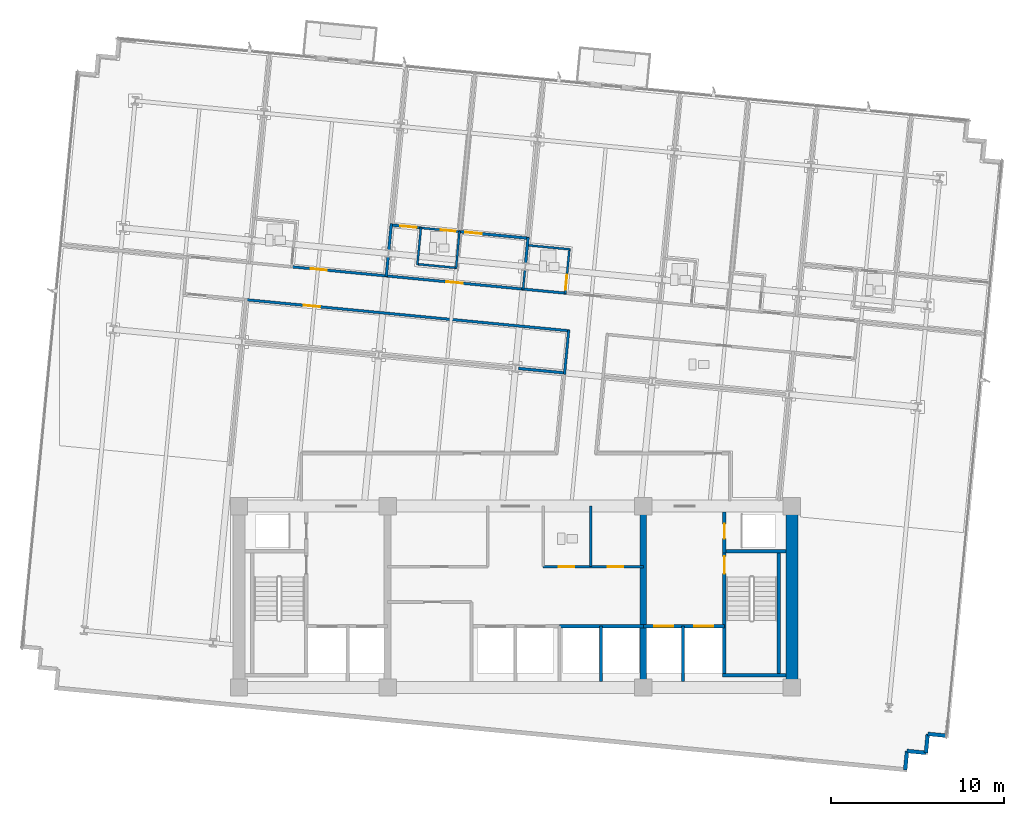
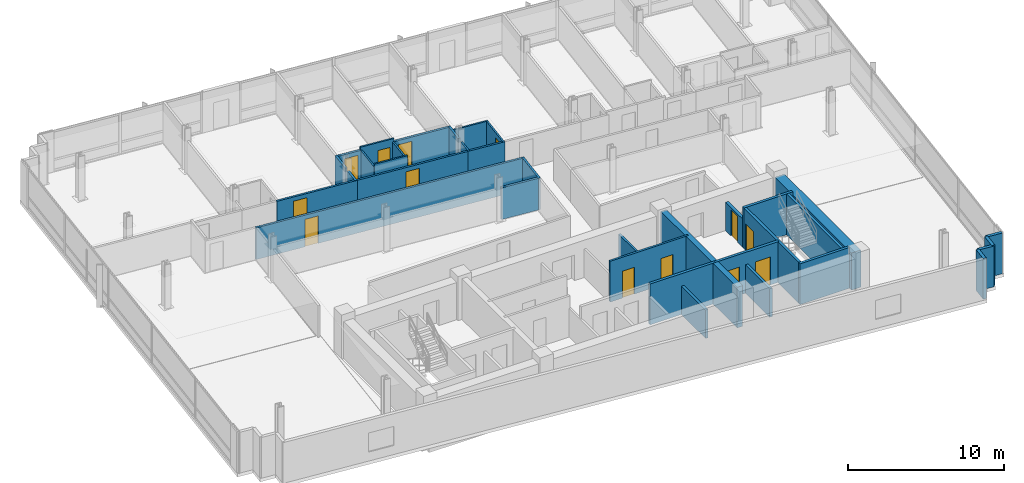
# One storey, part 11 of 17: 35 walls, 13 doors, 13 openings.
"""IFC4 building model written with IfcOpenShell, lengths in metres."""

from ifc_helpers import new_model, si_unit, direction, frame, frame_2d, origin, place, context, subcontext, project, spatial, rectangle, extrude, material, layer, layer_set, type_object, element, fill, save


model = new_model("IFC4")

# Units and contexts
model_context = context("Model", 3, precision=1e-05, world=origin(), true_north=direction((0.0, 1.0)))
body_context = subcontext(model_context, "Body", "Model", "MODEL_VIEW")
ifc_project = project(units=[si_unit("LENGTHUNIT", "METRE"), si_unit("AREAUNIT", "SQUARE_METRE"), si_unit("VOLUMEUNIT", "CUBIC_METRE"), si_unit("PLANEANGLEUNIT", "RADIAN"), si_unit("MASSUNIT", "GRAM", prefix="KILO")], contexts=[model_context])

# Site, building, storey
site_placement = place(None, origin())
site = spatial("IfcSite", under=ifc_project, at=site_placement, CompositionType="ELEMENT")
building_placement = place(site_placement, origin())
building = spatial("IfcBuilding", under=site, at=building_placement, Name="Solmavex Isthmus Hotel", CompositionType="ELEMENT")
storey_placement = place(building_placement, frame((0.0, 0.0, 146.25)))
storey = spatial("IfcBuildingStorey", under=building, at=storey_placement, Name="L39", CompositionType="ELEMENT", Elevation=146.25)

# Walls
ifc_material_1 = material(Name="Precast Concrete C40/50", Category="concrete")
ifc_layer_1 = layer(ifc_material_1, 0.25)
ifc_layer_set_1 = layer_set([ifc_layer_1], Name="Precast Concrete C40/50")
wall_type_1 = type_object("IfcWallType", Name="EW-TWR-250", PredefinedType="STANDARD", material=ifc_layer_set_1)
for number, where, z_axis, x_axis, name in (
    (1, (24.966552734375, -15.79052734375, 0.0), (0.0, 0.0, 1.0), (-0.995393156894, 0.095877334176, 0.0), "Serrated Corner Facade Panel L39-22"),
    (2, (23.87158203125, -15.68505859375, 0.0), (0.0, 0.0, 1.0), (-0.095877334176, -0.995393156894, 0.0), "Serrated Corner Facade Panel L39-23"),
    (3, (23.76611328125, -16.780029296875, 0.0), (0.0, 0.0, 1.0), (-0.995393156894, 0.095877334176, 0.0), "Serrated Corner Facade Panel L39-24"),
    (4, (22.671142578125, -16.674560546875, 0.0), (0.0, 0.0, 1.0), (-0.095657429048, -0.995414313875, 0.0), "Serrated Corner Facade Panel L39-25"),
):
    element("IfcWall", number, at=place(storey_placement, frame(where, z_axis=z_axis, x_axis=x_axis)), inside=storey, type_object=wall_type_1, Name=name, PredefinedType="STANDARD", context=body_context, shape_type="SweptSolid", body=[
        extrude(rectangle(XDim=1.10009765625, YDim=0.219970703125, at=frame_2d((0.550048828125, 0.0))), origin(), (0.0, 0.0, 1.0), 3.18994140625),
    ])
ifc_material_2 = material(Name="Gypsum plasterboard lining", Category="gypsum")
ifc_layer_2 = layer(ifc_material_2, 0.159912109375)
ifc_layer_set_2 = layer_set([ifc_layer_2], Name="Gypsum plasterboard lining")
wall_type_2 = type_object("IfcWallType", Name="IW-COMP-160", PredefinedType="PARTITIONING", material=ifc_layer_set_2)
wall_1_placement = place(storey_placement, frame((-7.36865234375, 11.95849609375, 0.0), z_axis=(0.0, 0.0, 1.0), x_axis=(-0.095831494917, -0.995397571115, 0.0)))
element("IfcWall", 5, at=wall_1_placement, inside=storey, type_object=wall_type_2, Name="Interior Partition Wall W-L39-P033", PredefinedType="PARTITIONING", context=body_context, shape_type="SweptSolid", body=[
    extrude(rectangle(XDim=1.171875, YDim=0.159912109375, at=frame_2d((0.5859375, 0.0))), origin(), (0.0, 0.0, 1.0), 2.4794921875),
])
wall_2_placement = place(storey_placement, frame((-7.185791015625, 13.857666015625, 0.0), z_axis=(0.0, 0.0, 1.0), x_axis=(-0.095867871334, -0.99539406832, 0.0)))
element("IfcWall", 6, at=wall_2_placement, inside=storey, type_object=wall_type_2, Name="Interior Partition Wall W-L39-P034", PredefinedType="PARTITIONING", context=body_context, shape_type="SweptSolid", body=[
    extrude(rectangle(XDim=1.555908203125, YDim=0.159912109375, at=frame_2d((0.77783203125, 0.0))), origin(), (0.0, 0.0, 1.0), 2.4794921875),
])

# Wall, opening, door
wall_3_placement = place(storey_placement, frame((-7.2333984375, 13.780029296875, 0.0), z_axis=(0.0, 0.0, 1.0), x_axis=(0.995392932756, -0.095879661139, 0.0)))
wall_3 = element("IfcWall", 7, at=wall_3_placement, inside=storey, type_object=wall_type_2, Name="Interior Partition Wall W-L39-P037", PredefinedType="PARTITIONING", context=body_context, shape_type="SweptSolid", body=[
    extrude(rectangle(XDim=1.807861328125, YDim=0.159912109375, at=frame_2d((0.90380859375, 0.0))), origin(), (0.0, 0.0, 1.0), 2.4794921875),
])
opening_1_placement = place(wall_3_placement, frame((0.57421875, 0.0, 0.0)))
opening_1 = element("IfcOpeningElement", 8, at=opening_1_placement, cuts=wall_3, Name="Opening ID-C095", PredefinedType="OPENING", context=body_context, shape_type="SweptSolid", body=[
    extrude(rectangle(XDim=0.949951171875, YDim=2.14990234375, at=frame_2d((0.47509765625, 1.074951171875))), frame((0.0, 0.08984375, 0.0), z_axis=(0.0, -1.0, 0.0), x_axis=(1.0, 0.0, 0.0)), (0.0, 0.0, 1.0), 0.179931640625),
])
ifc_material_3 = material(Name="Hardwood timber", Category="wood")
door_type_1 = type_object("IfcDoorType", Name="IDR-FD60-0950", OperationType="NOTDEFINED", PredefinedType="DOOR", material=ifc_material_3)
door_1_placement = place(opening_1_placement, origin())
door_1 = element("IfcDoor", 9, at=door_1_placement, inside=storey, type_object=door_type_1, Name="Premier Suite Bedroom Door L39-05", OperationType="SINGLE_SWING_LEFT", OverallHeight=2.14990234375, OverallWidth=0.949951171875, PredefinedType="DOOR", context=body_context, shape_type="SweptSolid", body=[
    extrude(rectangle(XDim=0.949951171875, YDim=2.14990234375, at=frame_2d((0.47509765625, 1.074951171875))), frame((0.0, 0.02490234375, 0.0), z_axis=(0.0, -1.0, 0.0), x_axis=(1.0, 0.0, 0.0)), (0.0, 0.0, 1.0), 0.050048828125),
])
fill(opening_1, door_1)

wall_4_placement = place(storey_placement, frame((-3.28369140625, 13.399658203125, 0.0), z_axis=(0.0, 0.0, 1.0), x_axis=(0.995395934192, -0.095848496045, 0.0)))
wall_4 = element("IfcWall", 10, at=wall_4_placement, inside=storey, type_object=wall_type_2, Name="Interior Partition Wall W-L39-P038", PredefinedType="PARTITIONING", context=body_context, shape_type="SweptSolid", body=[
    extrude(rectangle(XDim=4.06787109375, YDim=0.159912109375, at=frame_2d((2.033935546875, 0.0))), origin(), (0.0, 0.0, 1.0), 2.4794921875),
])
opening_2_placement = place(wall_4_placement, frame((0.386474609375, 0.0, 0.0)))
opening_2 = element("IfcOpeningElement", 11, at=opening_2_placement, cuts=wall_4, Name="Opening ID-C095", PredefinedType="OPENING", context=body_context, shape_type="SweptSolid", body=[
    extrude(rectangle(XDim=0.949951171875, YDim=2.14990234375, at=frame_2d((0.47509765625, 1.074951171875))), frame((0.0, 0.08984375, 0.0), z_axis=(0.0, -1.0, 0.0), x_axis=(1.0, 0.0, 0.0)), (0.0, 0.0, 1.0), 0.179931640625),
])
door_2_placement = place(opening_2_placement, origin())
door_2 = element("IfcDoor", 12, at=door_2_placement, inside=storey, type_object=door_type_1, Name="Premier Suite Sitting Lounge Door L39-06", OperationType="SINGLE_SWING_RIGHT", OverallHeight=2.14990234375, OverallWidth=0.949951171875, PredefinedType="DOOR", context=body_context, shape_type="SweptSolid", body=[
    extrude(rectangle(XDim=0.949951171875, YDim=2.14990234375, at=frame_2d((0.47509765625, 1.074951171875))), frame((0.0, 0.02490234375, 0.0), z_axis=(0.0, -1.0, 0.0), x_axis=(1.0, 0.0, 0.0)), (0.0, 0.0, 1.0), 0.050048828125),
])
fill(opening_2, door_2)

# Walls
wall_5_placement = place(storey_placement, frame((0.7294921875, 13.053466796875, 0.0), z_axis=(0.0, 0.0, 1.0), x_axis=(-0.095783075571, -0.995402231479, 0.0)))
element("IfcWall", 13, at=wall_5_placement, inside=storey, type_object=wall_type_2, Name="Interior Partition Wall W-L39-P042", PredefinedType="PARTITIONING", context=body_context, shape_type="SweptSolid", body=[
    extrude(rectangle(XDim=1.51416015625, YDim=0.159912109375, at=frame_2d((0.757080078125, 0.0))), origin(), (0.0, 0.0, 1.0), 2.4794921875),
])
wall_6_placement = place(storey_placement, frame((2.885986328125, 5.212646484375, 0.0), z_axis=(0.0, 0.0, 1.0), x_axis=(-0.995401466761, 0.095791022391, 0.0)))
element("IfcWall", 14, at=wall_6_placement, inside=storey, type_object=wall_type_2, Name="Interior Partition Wall W-L39-P078", PredefinedType="PARTITIONING", context=body_context, shape_type="SweptSolid", body=[
    extrude(rectangle(XDim=2.721923828125, YDim=0.159912109375, at=frame_2d((1.36083984375, 0.0))), origin(), (0.0, 0.0, 1.0), 2.4794921875),
])

# Wall, openings, doors
ifc_layer_3 = layer(ifc_material_2, 0.14990234375)
ifc_layer_set_3 = layer_set([ifc_layer_3], Name="Gypsum plasterboard lining")
wall_type_3 = type_object("IfcWallType", Name="IW-CORR-150", PredefinedType="PARTITIONING", material=ifc_layer_set_3)
wall_7_placement = place(storey_placement, frame((1.60009765625, -6.0, 0.0), z_axis=(0.0, 0.0, 1.0), x_axis=(1.0, 0.0, 0.0)))
wall_7 = element("IfcWall", 15, at=wall_7_placement, inside=storey, type_object=wall_type_3, Name="Interior Partition Wall W-L39-BOH-ES", PredefinedType="PARTITIONING", context=body_context, shape_type="SweptSolid", body=[
    extrude(rectangle(XDim=5.7998046875, YDim=0.14990234375, at=frame_2d((2.89990234375, 0.0))), origin(), (0.0, 0.0, 1.0), 3.18994140625),
])
opening_3_placement = place(wall_7_placement, frame((0.89990234375, 0.0, 0.0)))
opening_3 = element("IfcOpeningElement", 16, at=opening_3_placement, cuts=wall_7, Name="Opening ID-C090", PredefinedType="OPENING", context=body_context, shape_type="SweptSolid", body=[
    extrude(rectangle(XDim=0.89990234375, YDim=2.10009765625, at=frame_2d((0.449951171875, 1.050048828125))), frame((0.0, 0.0849609375, 0.0), z_axis=(0.0, -1.0, 0.0), x_axis=(1.0, 0.0, 0.0)), (0.0, 0.0, 1.0), 0.169921875),
])
opening_4_placement = place(wall_7_placement, frame((3.75, 0.0, 0.0)))
opening_4 = element("IfcOpeningElement", 17, at=opening_4_placement, cuts=wall_7, Name="Opening ID-C090", PredefinedType="OPENING", context=body_context, shape_type="SweptSolid", body=[
    extrude(rectangle(XDim=0.89990234375, YDim=2.10009765625, at=frame_2d((0.449951171875, 1.050048828125))), frame((0.0, 0.0849609375, 0.0), z_axis=(0.0, -1.0, 0.0), x_axis=(1.0, 0.0, 0.0)), (0.0, 0.0, 1.0), 0.169921875),
])
door_type_2 = type_object("IfcDoorType", Name="IDR-FD60-0900", OperationType="NOTDEFINED", PredefinedType="DOOR", material=ifc_material_3)
door_3_placement = place(opening_3_placement, frame((0.89990234375, 0.0, 0.0), z_axis=(0.0, 0.0, 1.0), x_axis=(-1.0, 0.0, 0.0)))
door_3 = element("IfcDoor", 18, at=door_3_placement, inside=storey, type_object=door_type_2, Name="Staff WC Door L39", OperationType="SINGLE_SWING_RIGHT", OverallHeight=2.10009765625, OverallWidth=0.89990234375, PredefinedType="DOOR", context=body_context, shape_type="SweptSolid", body=[
    extrude(rectangle(XDim=0.89990234375, YDim=2.10009765625, at=frame_2d((0.449951171875, 1.050048828125))), frame((0.0, 0.02490234375, 0.0), z_axis=(0.0, -1.0, 0.0), x_axis=(1.0, 0.0, 0.0)), (0.0, 0.0, 1.0), 0.050048828125),
])
fill(opening_3, door_3)
door_4_placement = place(opening_4_placement, frame((0.89990234375, 0.0, 0.0), z_axis=(0.0, 0.0, 1.0), x_axis=(-1.0, 0.0, 0.0)))
door_4 = element("IfcDoor", 19, at=door_4_placement, inside=storey, type_object=door_type_2, Name="Pantry Door L39", OperationType="SINGLE_SWING_LEFT", OverallHeight=2.10009765625, OverallWidth=0.89990234375, PredefinedType="DOOR", context=body_context, shape_type="SweptSolid", body=[
    extrude(rectangle(XDim=0.89990234375, YDim=2.10009765625, at=frame_2d((0.449951171875, 1.050048828125))), frame((0.0, 0.02490234375, 0.0), z_axis=(0.0, -1.0, 0.0), x_axis=(1.0, 0.0, 0.0)), (0.0, 0.0, 1.0), 0.050048828125),
])
fill(opening_4, door_4)

# Wall, opening, door
wall_8_placement = place(storey_placement, frame((-13.03955078125, 11.3671875, 0.0), z_axis=(0.0, 0.0, 1.0), x_axis=(0.995396240334, -0.095845316679, 0.0)))
wall_8 = element("IfcWall", 20, at=wall_8_placement, inside=storey, type_object=wall_type_3, Name="Interior Partition Wall W-L39-P002", PredefinedType="PARTITIONING", context=body_context, shape_type="SweptSolid", body=[
    extrude(rectangle(XDim=5.670166015625, YDim=0.14990234375, at=frame_2d((2.8349609375, 0.0))), origin(), (0.0, 0.0, 1.0), 2.4794921875),
])
opening_5_placement = place(wall_8_placement, frame((1.18603515625, 0.0, 0.0)))
opening_5 = element("IfcOpeningElement", 21, at=opening_5_placement, cuts=wall_8, Name="Opening ID-C095", PredefinedType="OPENING", context=body_context, shape_type="SweptSolid", body=[
    extrude(rectangle(XDim=0.949951171875, YDim=2.14990234375, at=frame_2d((0.47509765625, 1.074951171875))), frame((0.0, 0.0849609375, 0.0), z_axis=(0.0, -1.0, 0.0), x_axis=(1.0, 0.0, 0.0)), (0.0, 0.0, 1.0), 0.169921875),
])
door_5_placement = place(opening_5_placement, frame((0.949951171875, 0.0, 0.0), z_axis=(0.0, 0.0, 1.0), x_axis=(-1.0, 0.0, 0.0)))
door_5 = element("IfcDoor", 22, at=door_5_placement, inside=storey, type_object=door_type_1, Name="Premier Suite Door L39-02", OperationType="SINGLE_SWING_RIGHT", OverallHeight=2.14990234375, OverallWidth=0.949951171875, PredefinedType="DOOR", context=body_context, shape_type="SweptSolid", body=[
    extrude(rectangle(XDim=0.949951171875, YDim=2.14990234375, at=frame_2d((0.47509765625, 1.074951171875))), frame((0.0, 0.02490234375, 0.0), z_axis=(0.0, -1.0, 0.0), x_axis=(1.0, 0.0, 0.0)), (0.0, 0.0, 1.0), 0.050048828125),
])
fill(opening_5, door_5)

wall_9_placement = place(storey_placement, frame((-7.558837890625, 10.839599609375, 0.0), z_axis=(0.0, 0.0, 1.0), x_axis=(0.995395467524, -0.095853342309, 0.0)))
wall_9 = element("IfcWall", 23, at=wall_9_placement, inside=storey, type_object=wall_type_3, Name="Interior Partition Wall W-L39-P004", PredefinedType="PARTITIONING", context=body_context, shape_type="SweptSolid", body=[
    extrude(rectangle(XDim=8.119873046875, YDim=0.14990234375, at=frame_2d((4.06005859375, 0.0))), origin(), (0.0, 0.0, 1.0), 2.4794921875),
])
opening_6_placement = place(wall_9_placement, frame((3.5849609375, 0.0, 0.0)))
opening_6 = element("IfcOpeningElement", 24, at=opening_6_placement, cuts=wall_9, Name="Opening ID-C095", PredefinedType="OPENING", context=body_context, shape_type="SweptSolid", body=[
    extrude(rectangle(XDim=0.949951171875, YDim=2.14990234375, at=frame_2d((0.47509765625, 1.074951171875))), frame((0.0, 0.0849609375, 0.0), z_axis=(0.0, -1.0, 0.0), x_axis=(1.0, 0.0, 0.0)), (0.0, 0.0, 1.0), 0.169921875),
])
door_6_placement = place(opening_6_placement, frame((0.949951171875, 0.0, 0.0), z_axis=(0.0, 0.0, 1.0), x_axis=(-1.0, 0.0, 0.0)))
door_6 = element("IfcDoor", 25, at=door_6_placement, inside=storey, type_object=door_type_1, Name="Premier Suite Reception Foyer Door L39-04", OperationType="SINGLE_SWING_RIGHT", OverallHeight=2.14990234375, OverallWidth=0.949951171875, PredefinedType="DOOR", context=body_context, shape_type="SweptSolid", body=[
    extrude(rectangle(XDim=0.949951171875, YDim=2.14990234375, at=frame_2d((0.47509765625, 1.074951171875))), frame((0.0, 0.02490234375, 0.0), z_axis=(0.0, -1.0, 0.0), x_axis=(1.0, 0.0, 0.0)), (0.0, 0.0, 1.0), 0.050048828125),
])
fill(opening_6, door_6)

# Walls
wall_10_placement = place(storey_placement, frame((0.360595703125, 10.076904296875, 0.0), z_axis=(0.0, 0.0, 1.0), x_axis=(0.995397556197, -0.095831649869, 0.0)))
element("IfcWall", 26, at=wall_10_placement, inside=storey, type_object=wall_type_3, Name="Interior Partition Wall W-L39-P006", PredefinedType="PARTITIONING", context=body_context, shape_type="SweptSolid", body=[
    extrude(rectangle(XDim=2.61376953125, YDim=0.14990234375, at=frame_2d((1.306884765625, 0.0))), origin(), (0.0, 0.0, 1.0), 2.4794921875),
])
wall_11_placement = place(storey_placement, frame((2.83837890625, 5.134765625, 0.0), z_axis=(0.0, 0.0, 1.0), x_axis=(0.095772090971, 0.995403288417, 0.0)))
element("IfcWall", 27, at=wall_11_placement, inside=storey, type_object=wall_type_3, Name="Interior Partition Wall W-L39-P014", PredefinedType="PARTITIONING", context=body_context, shape_type="SweptSolid", body=[
    extrude(rectangle(XDim=2.572021484375, YDim=0.14990234375, at=frame_2d((1.2861328125, 0.0))), origin(), (0.0, 0.0, 1.0), 2.4794921875),
])

# Wall, opening, door
wall_12_placement = place(storey_placement, frame((3.120849609375, 7.6513671875, 0.0), z_axis=(0.0, 0.0, 1.0), x_axis=(-0.995397135603, 0.095836018457, 0.0)))
wall_12 = element("IfcWall", 28, at=wall_12_placement, inside=storey, type_object=wall_type_3, Name="Interior Partition Wall W-L39-P015", PredefinedType="PARTITIONING", context=body_context, shape_type="SweptSolid", body=[
    extrude(rectangle(XDim=18.89208984375, YDim=0.14990234375, at=frame_2d((9.446044921875, 0.0))), origin(), (0.0, 0.0, 1.0), 2.4794921875),
])
opening_7_placement = place(wall_12_placement, frame((14.501708984375, 0.0, 0.0)))
opening_7 = element("IfcOpeningElement", 29, at=opening_7_placement, cuts=wall_12, Name="Opening ID-C095", PredefinedType="OPENING", context=body_context, shape_type="SweptSolid", body=[
    extrude(rectangle(XDim=0.949951171875, YDim=2.14990234375, at=frame_2d((0.47509765625, 1.074951171875))), frame((0.0, 0.0849609375, 0.0), z_axis=(0.0, -1.0, 0.0), x_axis=(1.0, 0.0, 0.0)), (0.0, 0.0, 1.0), 0.169921875),
])
door_7_placement = place(opening_7_placement, frame((0.949951171875, 0.0, 0.0), z_axis=(0.0, 0.0, 1.0), x_axis=(-1.0, 0.0, 0.0)))
door_7 = element("IfcDoor", 30, at=door_7_placement, inside=storey, type_object=door_type_1, Name="Wellness Treatment Room Door L39-19", OperationType="SINGLE_SWING_LEFT", OverallHeight=2.14990234375, OverallWidth=0.949951171875, PredefinedType="DOOR", context=body_context, shape_type="SweptSolid", body=[
    extrude(rectangle(XDim=0.949951171875, YDim=2.14990234375, at=frame_2d((0.47509765625, 1.074951171875))), frame((0.0, 0.02490234375, 0.0), z_axis=(0.0, -1.0, 0.0), x_axis=(1.0, 0.0, 0.0)), (0.0, 0.0, 1.0), 0.050048828125),
])
fill(opening_7, door_7)

# Walls
ifc_layer_4 = layer(ifc_material_2, 0.1201171875)
ifc_layer_set_4 = layer_set([ifc_layer_4], Name="Gypsum plasterboard lining")
wall_type_4 = type_object("IfcWallType", Name="IW-PART-120", PredefinedType="PARTITIONING", material=ifc_layer_set_4)
wall_13_placement = place(storey_placement, frame((4.35009765625, -6.0, 0.0), z_axis=(0.0, 0.0, 1.0), x_axis=(0.0, 1.0, 0.0)))
element("IfcWall", 31, at=wall_13_placement, inside=storey, type_object=wall_type_4, Name="Interior Partition Wall W-L39-BOH-EM0", PredefinedType="PARTITIONING", context=body_context, shape_type="SweptSolid", body=[
    extrude(rectangle(XDim=3.5, YDim=0.14990234375, at=frame_2d((1.75, 0.0))), origin(), (0.0, 0.0, 1.0), 2.22509765625),
])
wall_14_placement = place(storey_placement, frame((-5.4697265625, 13.650390625, 0.0), z_axis=(0.0, 0.0, 1.0), x_axis=(-0.095846349626, -0.995396140872, 0.0)))
element("IfcWall", 32, at=wall_14_placement, inside=storey, type_object=wall_type_4, Name="Interior Partition Wall W-L39-P039", PredefinedType="PARTITIONING", context=body_context, shape_type="SweptSolid", body=[
    extrude(rectangle(XDim=2.18798828125, YDim=0.1201171875, at=frame_2d((1.093994140625, 0.0))), origin(), (0.0, 0.0, 1.0), 2.4794921875),
])
wall_15_placement = place(storey_placement, frame((-5.715576171875, 11.51611328125, 0.0), z_axis=(0.0, 0.0, 1.0), x_axis=(0.995393658532, -0.095872126059, 0.0)))
element("IfcWall", 33, at=wall_15_placement, inside=storey, type_object=wall_type_4, Name="Interior Partition Wall W-L39-P040", PredefinedType="PARTITIONING", context=body_context, shape_type="SweptSolid", body=[
    extrude(rectangle(XDim=2.330078125, YDim=0.1201171875, at=frame_2d((1.1650390625, 0.0))), origin(), (0.0, 0.0, 1.0), 2.718017578125),
])
wall_16_placement = place(storey_placement, frame((-3.439697265625, 11.256591796875, 0.0), z_axis=(0.0, 0.0, 1.0), x_axis=(0.091159469261, 0.995836307414, 0.0)))
element("IfcWall", 34, at=wall_16_placement, inside=storey, type_object=wall_type_4, Name="Interior Partition Wall W-L39-P041", PredefinedType="PARTITIONING", context=body_context, shape_type="SweptSolid", body=[
    extrude(rectangle(XDim=2.18798828125, YDim=0.1201171875, at=frame_2d((1.093994140625, 0.0))), origin(), (0.0, 0.0, 1.0), 2.4794921875),
])
wall_17_placement = place(storey_placement, frame((0.55078125, 11.196044921875, 0.0), z_axis=(0.0, 0.0, 1.0), x_axis=(-0.096017994315, -0.995379598328, 0.0)))
element("IfcWall", 35, at=wall_17_placement, inside=storey, type_object=wall_type_4, Name="Interior Partition Wall W-L39-P043", PredefinedType="PARTITIONING", context=body_context, shape_type="SweptSolid", body=[
    extrude(rectangle(XDim=1.172119140625, YDim=0.1201171875, at=frame_2d((0.5859375, 0.0))), origin(), (0.0, 0.0, 1.0), 2.4794921875),
])

# Wall, opening, door
wall_18_placement = place(storey_placement, frame((-3.194091796875, 13.390869140625, 0.0), z_axis=(0.0, 0.0, 1.0), x_axis=(-0.995388451302, 0.095926174813, 0.0)))
wall_18 = element("IfcWall", 36, at=wall_18_placement, inside=storey, type_object=wall_type_4, Name="Interior Partition Wall W-L39-P045", PredefinedType="PARTITIONING", context=body_context, shape_type="SweptSolid", body=[
    extrude(rectangle(XDim=2.3720703125, YDim=0.1201171875, at=frame_2d((1.18603515625, 0.0))), origin(), (0.0, 0.0, 1.0), 2.718017578125),
])
opening_8_placement = place(wall_18_placement, frame((0.27978515625, 0.0, 0.0)))
opening_8 = element("IfcOpeningElement", 37, at=opening_8_placement, cuts=wall_18, Name="Opening ID-U085", PredefinedType="OPENING", context=body_context, shape_type="SweptSolid", body=[
    extrude(rectangle(XDim=0.85009765625, YDim=2.10009765625, at=frame_2d((0.425048828125, 1.050048828125))), frame((0.0, 0.070068359375, 0.0), z_axis=(0.0, -1.0, 0.0), x_axis=(1.0, 0.0, 0.0)), (0.0, 0.0, 1.0), 0.14013671875),
])
door_type_3 = type_object("IfcDoorType", Name="IDR-UNR-0850", OperationType="NOTDEFINED", PredefinedType="DOOR", material=ifc_material_3)
door_8_placement = place(opening_8_placement, frame((0.85009765625, 0.0, 0.0), z_axis=(0.0, 0.0, 1.0), x_axis=(-1.0, 0.0, 0.0)))
door_8 = element("IfcDoor", 38, at=door_8_placement, inside=storey, type_object=door_type_3, Name="En-suite Bathroom Door L39-07", OperationType="SINGLE_SWING_LEFT", OverallHeight=2.10009765625, OverallWidth=0.85009765625, PredefinedType="DOOR", context=body_context, shape_type="SweptSolid", body=[
    extrude(rectangle(XDim=0.85009765625, YDim=2.10009765625, at=frame_2d((0.425048828125, 1.050048828125))), frame((0.0, 0.02490234375, 0.0), z_axis=(0.0, -1.0, 0.0), x_axis=(1.0, 0.0, 0.0)), (0.0, 0.0, 1.0), 0.050048828125),
])
fill(opening_8, door_8)

wall_19_placement = place(storey_placement, frame((2.876953125, 9.79443359375, 0.0), z_axis=(0.0, 0.0, 1.0), x_axis=(0.095891053428, 0.995391835345, 0.0)))
wall_19 = element("IfcWall", 39, at=wall_19_placement, inside=storey, type_object=wall_type_4, Name="Interior Partition Wall W-L39-P048", PredefinedType="PARTITIONING", context=body_context, shape_type="SweptSolid", body=[
    extrude(rectangle(XDim=2.630126953125, YDim=0.1201171875, at=frame_2d((1.31494140625, 0.0))), origin(), (0.0, 0.0, 1.0), 2.4794921875),
])
opening_9_placement = place(wall_19_placement, frame((0.247314453125, 0.0, 0.0)))
opening_9 = element("IfcOpeningElement", 40, at=opening_9_placement, cuts=wall_19, Name="Opening ID-U085", PredefinedType="OPENING", context=body_context, shape_type="SweptSolid", body=[
    extrude(rectangle(XDim=0.85009765625, YDim=2.10009765625, at=frame_2d((0.425048828125, 1.050048828125))), frame((0.0, 0.070068359375, 0.0), z_axis=(0.0, -1.0, 0.0), x_axis=(1.0, 0.0, 0.0)), (0.0, 0.0, 1.0), 0.14013671875),
])
door_9_placement = place(opening_9_placement, frame((0.85009765625, 0.0, 0.0), z_axis=(0.0, 0.0, 1.0), x_axis=(-1.0, 0.0, 0.0)))
door_9 = element("IfcDoor", 41, at=door_9_placement, inside=storey, type_object=door_type_3, Name="En-suite Bathroom Door L39-09", OperationType="SINGLE_SWING_LEFT", OverallHeight=2.10009765625, OverallWidth=0.85009765625, PredefinedType="DOOR", context=body_context, shape_type="SweptSolid", body=[
    extrude(rectangle(XDim=0.85009765625, YDim=2.10009765625, at=frame_2d((0.425048828125, 1.050048828125))), frame((0.0, 0.02490234375, 0.0), z_axis=(0.0, -1.0, 0.0), x_axis=(1.0, 0.0, 0.0)), (0.0, 0.0, 1.0), 0.050048828125),
])
fill(opening_9, door_9)

# Walls
wall_20_placement = place(storey_placement, frame((3.1650390625, 12.36865234375, 0.0), z_axis=(0.0, 0.0, 1.0), x_axis=(-0.995389028655, 0.095920183663, 0.0)))
element("IfcWall", 42, at=wall_20_placement, inside=storey, type_object=wall_type_4, Name="Interior Partition Wall W-L39-P049", PredefinedType="PARTITIONING", context=body_context, shape_type="SweptSolid", body=[
    extrude(rectangle(XDim=2.530029296875, YDim=0.1201171875, at=frame_2d((1.26513671875, 0.0))), origin(), (0.0, 0.0, 1.0), 2.4794921875),
])
ifc_material_4 = material(Name="Concrete C40/50", Category="concrete")
ifc_layer_5 = layer(ifc_material_4, 0.179931640625)
ifc_layer_set_5 = layer_set([ifc_layer_5], Name="Concrete C40/50")
wall_type_5 = type_object("IfcWallType", Name="IW-SHAFT-180", PredefinedType="PARTITIONING", material=ifc_layer_set_5)
wall_21_placement = place(storey_placement, frame((4.949951171875, -12.64990234375, 0.0), z_axis=(0.0, 0.0, 1.0), x_axis=(0.0, 1.0, 0.0)))
element("IfcWall", 43, at=wall_21_placement, inside=storey, type_object=wall_type_5, Name="Interior Partition Wall W-L39-SH-PLH-M", PredefinedType="PARTITIONING", context=body_context, shape_type="SweptSolid", body=[
    extrude(rectangle(XDim=3.199951171875, YDim=0.179931640625, at=frame_2d((1.60009765625, 0.0))), origin(), (0.0, 0.0, 1.0), 2.22509765625),
])

# Wall, opening, door
ifc_layer_6 = layer(ifc_material_4, 0.199951171875)
ifc_layer_set_6 = layer_set([ifc_layer_6], Name="Concrete C40/50")
wall_type_6 = type_object("IfcWallType", Name="IW-SHAFT-200", PredefinedType="PARTITIONING", material=ifc_layer_set_6)
wall_22_placement = place(storey_placement, frame((12.10009765625, -5.199951171875, 0.0), z_axis=(0.0, 0.0, 1.0), x_axis=(0.0, 1.0, 0.0)))
wall_22 = element("IfcWall", 44, at=wall_22_placement, inside=storey, type_object=wall_type_6, Name="Interior Partition Wall W-L39-RSE-W", PredefinedType="PARTITIONING", context=body_context, shape_type="SweptSolid", body=[
    extrude(rectangle(XDim=2.349853515625, YDim=0.199951171875, at=frame_2d((1.1748046875, 0.0))), origin(), (0.0, 0.0, 1.0), 2.22509765625),
])
opening_10_placement = place(wall_22_placement, frame((0.824951171875, 0.0, 0.0)))
opening_10 = element("IfcOpeningElement", 45, at=opening_10_placement, cuts=wall_22, Name="Opening ID-R085", PredefinedType="OPENING", context=body_context, shape_type="SweptSolid", body=[
    extrude(rectangle(XDim=0.85009765625, YDim=2.050048828125, at=frame_2d((0.425048828125, 1.02490234375))), frame((0.0, 0.10986328125, 0.0), z_axis=(0.0, -1.0, 0.0), x_axis=(1.0, 0.0, 0.0)), (0.0, 0.0, 1.0), 0.219970703125),
])
ifc_material_5 = material(Name="Steel ASTM A500 Grade C", Category="steel")
door_type_4 = type_object("IfcDoorType", Name="IDR-FD60-0850", OperationType="NOTDEFINED", PredefinedType="DOOR", material=ifc_material_5)
door_10_placement = place(opening_10_placement, frame((0.85009765625, 0.0, 0.0), z_axis=(0.0, 0.0, 1.0), x_axis=(-1.0, 0.0, 0.0)))
door_10 = element("IfcDoor", 46, at=door_10_placement, inside=storey, type_object=door_type_4, Name="Mechanical Riser Door L39", OperationType="SINGLE_SWING_LEFT", OverallHeight=2.050048828125, OverallWidth=0.85009765625, PredefinedType="DOOR", context=body_context, shape_type="SweptSolid", body=[
    extrude(rectangle(XDim=0.85009765625, YDim=2.050048828125, at=frame_2d((0.425048828125, 1.02490234375))), frame((0.0, 0.02490234375, 0.0), z_axis=(0.0, -1.0, 0.0), x_axis=(1.0, 0.0, 0.0)), (0.0, 0.0, 1.0), 0.050048828125),
])
fill(opening_10, door_10)

# Wall, openings, doors
wall_23_placement = place(storey_placement, frame((7.39990234375, -9.449951171875, 0.0), z_axis=(0.0, 0.0, 1.0), x_axis=(1.0, 0.0, 0.0)))
wall_23 = element("IfcWall", 47, at=wall_23_placement, inside=storey, type_object=wall_type_6, Name="Interior Partition Wall W-L39-FFLE-S", PredefinedType="PARTITIONING", context=body_context, shape_type="SweptSolid", body=[
    extrude(rectangle(XDim=4.7001953125, YDim=0.199951171875, at=frame_2d((2.35009765625, 0.0))), origin(), (0.0, 0.0, 1.0), 3.18994140625),
])
opening_11_placement = place(wall_23_placement, frame((2.949951171875, 0.0, 0.0)))
opening_11 = element("IfcOpeningElement", 48, at=opening_11_placement, cuts=wall_23, Name="Opening LD-FF", PredefinedType="OPENING", context=body_context, shape_type="SweptSolid", body=[
    extrude(rectangle(XDim=1.10009765625, YDim=2.199951171875, at=frame_2d((0.550048828125, 1.10009765625))), frame((0.0, 0.10986328125, 0.0), z_axis=(0.0, -1.0, 0.0), x_axis=(1.0, 0.0, 0.0)), (0.0, 0.0, 1.0), 0.219970703125),
])
opening_12_placement = place(wall_23_placement, frame((0.64990234375, 0.0, 0.0)))
opening_12 = element("IfcOpeningElement", 49, at=opening_12_placement, cuts=wall_23, Name="Opening LD-SV", PredefinedType="OPENING", context=body_context, shape_type="SweptSolid", body=[
    extrude(rectangle(XDim=1.10009765625, YDim=2.199951171875, at=frame_2d((0.550048828125, 1.10009765625))), frame((0.0, 0.10986328125, 0.0), z_axis=(0.0, -1.0, 0.0), x_axis=(1.0, 0.0, 0.0)), (0.0, 0.0, 1.0), 0.219970703125),
])
ifc_material_6 = material(Name="Stainless steel 316", Category="steel")
door_type_5 = type_object("IfcDoorType", Name="LDR-FF-1100", OperationType="NOTDEFINED", PredefinedType="DOOR", material=ifc_material_6)
door_11_placement = place(opening_11_placement, origin())
door_11 = element("IfcDoor", 50, at=door_11_placement, inside=storey, type_object=door_type_5, Name="Lift Landing Door FFL-2 L39", OperationType="SLIDING_TO_LEFT", OverallHeight=2.199951171875, OverallWidth=1.10009765625, PredefinedType="DOOR", context=body_context, shape_type="SweptSolid", body=[
    extrude(rectangle(XDim=1.10009765625, YDim=2.199951171875, at=frame_2d((0.550048828125, 1.10009765625))), frame((0.0, 0.02490234375, 0.0), z_axis=(0.0, -1.0, 0.0), x_axis=(1.0, 0.0, 0.0)), (0.0, 0.0, 1.0), 0.050048828125),
])
fill(opening_11, door_11)
door_type_6 = type_object("IfcDoorType", Name="LDR-SV-1100", OperationType="NOTDEFINED", PredefinedType="DOOR", material=ifc_material_6)
door_12_placement = place(opening_12_placement, origin())
door_12 = element("IfcDoor", 51, at=door_12_placement, inside=storey, type_object=door_type_6, Name="Lift Landing Door SVL-2 L39", OperationType="SLIDING_TO_RIGHT", OverallHeight=2.199951171875, OverallWidth=1.10009765625, PredefinedType="DOOR", context=body_context, shape_type="SweptSolid", body=[
    extrude(rectangle(XDim=1.10009765625, YDim=2.199951171875, at=frame_2d((0.550048828125, 1.10009765625))), frame((0.0, 0.02490234375, 0.0), z_axis=(0.0, -1.0, 0.0), x_axis=(1.0, 0.0, 0.0)), (0.0, 0.0, 1.0), 0.050048828125),
])
fill(opening_12, door_12)

# Walls
wall_24_placement = place(storey_placement, frame((9.699951171875, -12.64990234375, 0.0), z_axis=(0.0, 0.0, 1.0), x_axis=(0.0, 1.0, 0.0)))
element("IfcWall", 52, at=wall_24_placement, inside=storey, type_object=wall_type_6, Name="Interior Partition Wall W-L39-FFLE-M", PredefinedType="PARTITIONING", context=body_context, shape_type="SweptSolid", body=[
    extrude(rectangle(XDim=3.199951171875, YDim=0.199951171875, at=frame_2d((1.60009765625, 0.0))), origin(), (0.0, 0.0, 1.0), 2.22509765625),
])
wall_25_placement = place(storey_placement, frame((2.550048828125, -9.449951171875, 0.0), z_axis=(0.0, 0.0, 1.0), x_axis=(1.0, 0.0, 0.0)))
element("IfcWall", 53, at=wall_25_placement, inside=storey, type_object=wall_type_6, Name="Interior Partition Wall W-L39-SH-PLH", PredefinedType="PARTITIONING", context=body_context, shape_type="SweptSolid", body=[
    extrude(rectangle(XDim=4.849853515625, YDim=0.199951171875, at=frame_2d((2.4248046875, 0.0))), origin(), (0.0, 0.0, 1.0), 3.18994140625),
])
ifc_material_7 = material(Name="Concrete C60/75", Category="concrete")
ifc_layer_7 = layer(ifc_material_7, 0.39990234375)
ifc_layer_set_7 = layer_set([ifc_layer_7], Name="Concrete C60/75")
wall_type_7 = type_object("IfcWallType", Name="WALL-CW-400M", PredefinedType="SHEAR", material=ifc_layer_set_7)
wall_26_placement = place(storey_placement, frame((7.39990234375, -12.64990234375, 0.0), z_axis=(0.0, 0.0, 1.0), x_axis=(0.0, 1.0, 0.0)))
element("IfcWall", 54, at=wall_26_placement, inside=storey, type_object=wall_type_7, Name="Core Cross Shear Wall C2 L39", PredefinedType="SHEAR", context=body_context, shape_type="SweptSolid", body=[
    extrude(rectangle(XDim=9.7998046875, YDim=0.39990234375, at=frame_2d((4.89990234375, 0.0))), origin(), (0.0, 0.0, 1.0), 3.18994140625),
])
ifc_layer_8 = layer(ifc_material_7, 0.699951171875)
ifc_layer_set_8 = layer_set([ifc_layer_8], Name="Concrete C60/75")
wall_type_8 = type_object("IfcWallType", Name="WALL-CW-700", PredefinedType="SHEAR", material=ifc_layer_set_8)
wall_27_placement = place(storey_placement, frame((16.0, -12.64990234375, 0.0), z_axis=(0.0, 0.0, 1.0), x_axis=(0.0, 1.0, 0.0)))
element("IfcWall", 55, at=wall_27_placement, inside=storey, type_object=wall_type_8, Name="Core Shear Wall East L39", PredefinedType="SHEAR", context=body_context, shape_type="SweptSolid", body=[
    extrude(rectangle(XDim=9.7998046875, YDim=0.699951171875, at=frame_2d((4.89990234375, 0.0))), origin(), (0.0, 0.0, 1.0), 2.909912109375),
])
ifc_layer_9 = layer(ifc_material_4, 0.199951171875)
ifc_layer_set_9 = layer_set([ifc_layer_9], Name="Concrete C40/50")
wall_type_9 = type_object("IfcWallType", Name="WALL-SW-200", PredefinedType="SOLIDWALL", material=ifc_layer_set_9)
for number, where, z_axis, x_axis, name in (
    (56, (12.0, -12.300048828125, 0.0), (0.0, 0.0, 1.0), (1.0, 0.0, 0.0), "Stairwell Structural Wall SW-L39-ST2-S"),
    (57, (12.0, -5.10009765625, 0.0), (0.0, 0.0, 1.0), (1.0, 0.0, 0.0), "Stairwell Structural Wall SW-L39-ST2-N"),
):
    element("IfcWall", number, at=place(storey_placement, frame(where, z_axis=z_axis, x_axis=x_axis)), inside=storey, type_object=wall_type_9, Name=name, PredefinedType="SOLIDWALL", context=body_context, shape_type="SweptSolid", body=[
        extrude(rectangle(XDim=3.64990234375, YDim=0.199951171875, at=frame_2d((1.824951171875, 0.0))), origin(), (0.0, 0.0, 1.0), 3.18994140625),
    ])

# Wall, opening, door
wall_28_placement = place(storey_placement, frame((12.10009765625, -12.199951171875, 0.0), z_axis=(0.0, 0.0, 1.0), x_axis=(0.0, 1.0, 0.0)))
wall_28 = element("IfcWall", 58, at=wall_28_placement, inside=storey, type_object=wall_type_9, Name="Stairwell Structural Wall SW-L39-ST2-W", PredefinedType="SOLIDWALL", context=body_context, shape_type="SweptSolid", body=[
    extrude(rectangle(XDim=7.0, YDim=0.199951171875, at=frame_2d((3.5, 0.0))), origin(), (0.0, 0.0, 1.0), 3.18994140625),
])
opening_13_placement = place(wall_28_placement, frame((5.800048828125, 0.0, 0.0)))
opening_13 = element("IfcOpeningElement", 59, at=opening_13_placement, cuts=wall_28, Name="Opening ID-F100", PredefinedType="OPENING", context=body_context, shape_type="SweptSolid", body=[
    extrude(rectangle(XDim=1.0, YDim=2.10009765625, at=frame_2d((0.5, 1.050048828125))), frame((0.0, 0.10986328125, 0.0), z_axis=(0.0, -1.0, 0.0), x_axis=(1.0, 0.0, 0.0)), (0.0, 0.0, 1.0), 0.219970703125),
])
door_type_7 = type_object("IfcDoorType", Name="IDR-FD90-1000", OperationType="NOTDEFINED", PredefinedType="DOOR", material=ifc_material_5)
door_13_placement = place(opening_13_placement, origin())
door_13 = element("IfcDoor", 60, at=door_13_placement, inside=storey, type_object=door_type_7, Name="Stair ST-2 Fire Door L39", OperationType="SINGLE_SWING_RIGHT", OverallHeight=2.10009765625, OverallWidth=1.0, PredefinedType="DOOR", context=body_context, shape_type="SweptSolid", body=[
    extrude(rectangle(XDim=1.0, YDim=2.10009765625, at=frame_2d((0.5, 1.050048828125))), frame((0.0, 0.02490234375, 0.0), z_axis=(0.0, -1.0, 0.0), x_axis=(1.0, 0.0, 0.0)), (0.0, 0.0, 1.0), 0.050048828125),
])
fill(opening_13, door_13)

# Wall
wall_29_placement = place(storey_placement, frame((15.25, -12.199951171875, 0.0), z_axis=(0.0, 0.0, 1.0), x_axis=(0.0, 1.0, 0.0)))
element("IfcWall", 61, at=wall_29_placement, inside=storey, type_object=wall_type_9, Name="Stairwell Structural Wall SW-L39-ST2-E", PredefinedType="SOLIDWALL", context=body_context, shape_type="SweptSolid", body=[
    extrude(rectangle(XDim=7.0, YDim=0.199951171875, at=frame_2d((3.5, 0.0))), origin(), (0.0, 0.0, 1.0), 3.18994140625),
])

save(model, "model.ifc")
